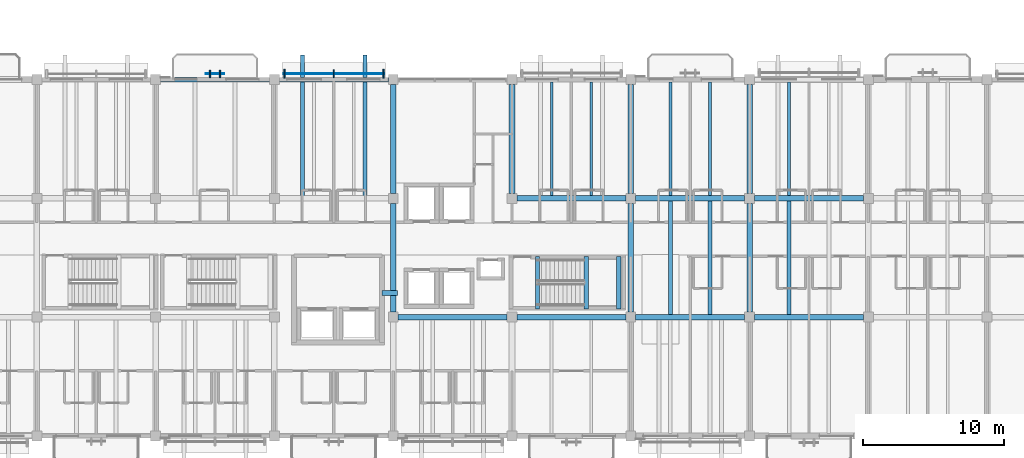
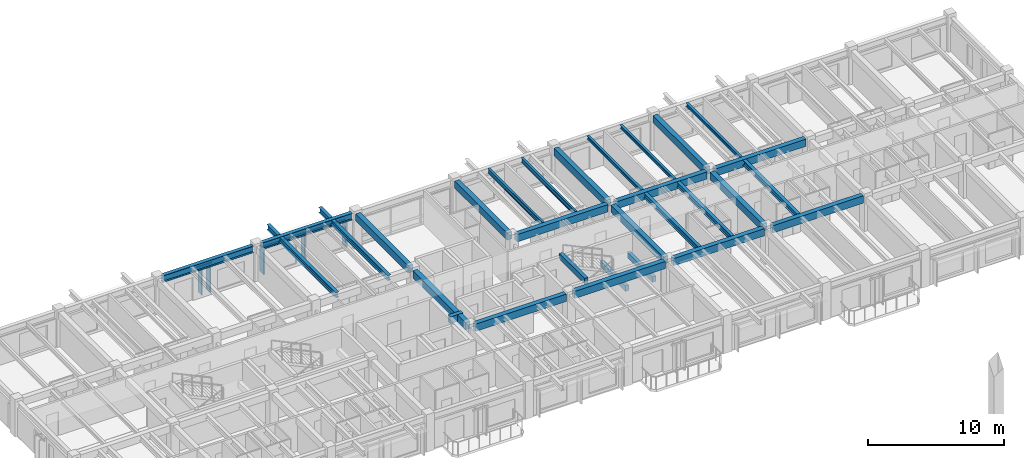
# One storey, part 13 of 64: 30 beams, 7 members, 2 elements without a shape of their own.
"""IFC4 building model written with IfcOpenShell, lengths in metres."""

from ifc_helpers import new_model, si_unit, direction, frame, origin, origin_2d, place, context, subcontext, project, spatial, rectangle, i_section, extrude, material, material_profile, profile_set, type_object, element, aggregate, save


model = new_model("IFC4")

# Units and contexts
model_context = context("Model", 3, precision=1e-05, world=origin(), true_north=direction((0.0, 1.0)))
body_context = subcontext(model_context, "Body", "Model", "MODEL_VIEW")
ifc_project = project(units=[si_unit("LENGTHUNIT", "METRE"), si_unit("AREAUNIT", "SQUARE_METRE"), si_unit("VOLUMEUNIT", "CUBIC_METRE"), si_unit("PLANEANGLEUNIT", "RADIAN"), si_unit("MASSUNIT", "GRAM", prefix="KILO")], contexts=[model_context])

# Site, building, storey
site_placement = place(None, origin())
site = spatial("IfcSite", under=ifc_project, at=site_placement, CompositionType="ELEMENT")
building_placement = place(site_placement, origin())
building = spatial("IfcBuilding", under=site, at=building_placement, Name="Cumbredor Promenade Congress Hotel", CompositionType="ELEMENT")
storey_placement = place(building_placement, frame((0.0, 0.0, 18.47998046875)))
storey = spatial("IfcBuildingStorey", under=building, at=storey_placement, Name="L05", CompositionType="ELEMENT", Elevation=18.47998046875)

# Beams
ifc_material_1 = material(Name="Concrete C40/50", Category="concrete")
ifc_material_profile_1 = material_profile(ifc_material_1, rectangle(XDim=0.39990234375, YDim=0.64990234375, at=origin_2d()), Name="RC BEAM 400x650")
ifc_profile_set_1 = profile_set([ifc_material_profile_1], Name="Concrete C40/50")
beam_type_1 = type_object("IfcBeamType", Name="BM-RC-400x650", PredefinedType="BEAM", material=ifc_profile_set_1)
beam_1_placement = place(storey_placement, frame((33.949951171875, 100.800048828125, 2.794921875), z_axis=(1.0, 0.0, 0.0), x_axis=(0.0, 1.0, 0.0)))
element("IfcBeam", 1, at=beam_1_placement, inside=storey, type_object=beam_type_1, Name="L06 X-Grid Beam 064", PredefinedType="BEAM", context=body_context, shape_type="SweptSolid", body=[
    extrude(rectangle(XDim=0.39990234375, YDim=0.64990234375, at=origin_2d()), origin(), (0.0, 0.0, 1.0), 7.699951171875),
])
beam_2_placement = place(storey_placement, frame((33.60009765625, 101.14990234375, 2.794921875), z_axis=(0.0, 1.0, 0.0), x_axis=(-1.0, 0.0, 0.0)))
element("IfcBeam", 2, at=beam_2_placement, inside=storey, type_object=beam_type_1, Name="L06 Y-Grid Beam 065", PredefinedType="BEAM", context=body_context, shape_type="SweptSolid", body=[
    extrude(rectangle(XDim=0.39990234375, YDim=0.64990234375, at=origin_2d()), origin(), (0.0, 0.0, 1.0), 7.7001953125),
])
for number, where, z_axis, x_axis, name in (
    (3, (33.60009765625, 109.550048828125, 2.794921875), (0.0, 1.0, 0.0), (-1.0, 0.0, 0.0), "L06 Y-Grid Beam 066"),
    (4, (42.35009765625, 100.800048828125, 2.794921875), (1.0, 0.0, 0.0), (0.0, 1.0, 0.0), "L06 X-Grid Beam 075"),
    (5, (42.35009765625, 109.199951171875, 2.794921875), (1.0, 0.0, 0.0), (0.0, 1.0, 0.0), "L06 X-Grid Beam 076"),
    (6, (42.0, 109.550048828125, 2.794921875), (0.0, 1.0, 0.0), (-1.0, 0.0, 0.0), "L06 Y-Grid Beam 077"),
    (7, (50.75, 100.800048828125, 2.794921875), (1.0, 0.0, 0.0), (0.0, 1.0, 0.0), "L06 X-Grid Beam 086"),
):
    element("IfcBeam", number, at=place(storey_placement, frame(where, z_axis=z_axis, x_axis=x_axis)), inside=storey, type_object=beam_type_1, Name=name, PredefinedType="BEAM", context=body_context, shape_type="SweptSolid", body=[
        extrude(rectangle(XDim=0.39990234375, YDim=0.64990234375, at=origin_2d()), origin(), (0.0, 0.0, 1.0), 7.699951171875),
    ])
beam_3_placement = place(storey_placement, frame((50.39990234375, 101.14990234375, 2.794921875), z_axis=(0.0, 1.0, 0.0), x_axis=(-1.0, 0.0, 0.0)))
element("IfcBeam", 8, at=beam_3_placement, inside=storey, type_object=beam_type_1, Name="L06 Y-Grid Beam 087", PredefinedType="BEAM", context=body_context, shape_type="SweptSolid", body=[
    extrude(rectangle(XDim=0.39990234375, YDim=0.64990234375, at=origin_2d()), origin(), (0.0, 0.0, 1.0), 7.7001953125),
])
for number, where, z_axis, x_axis, name in (
    (9, (50.75, 109.199951171875, 2.794921875), (1.0, 0.0, 0.0), (0.0, 1.0, 0.0), "L06 X-Grid Beam 088"),
    (10, (50.39990234375, 109.550048828125, 2.794921875), (0.0, 1.0, 0.0), (-1.0, 0.0, 0.0), "L06 Y-Grid Beam 089"),
):
    element("IfcBeam", number, at=place(storey_placement, frame(where, z_axis=z_axis, x_axis=x_axis)), inside=storey, type_object=beam_type_1, Name=name, PredefinedType="BEAM", context=body_context, shape_type="SweptSolid", body=[
        extrude(rectangle(XDim=0.39990234375, YDim=0.64990234375, at=origin_2d()), origin(), (0.0, 0.0, 1.0), 7.699951171875),
    ])
for number, where, z_axis, x_axis, name in (
    (11, (59.14990234375, 100.800048828125, 2.794921875), (1.0, 0.0, 0.0), (0.0, 1.0, 0.0), "L06 X-Grid Beam 108"),
    (12, (58.800048828125, 101.14990234375, 2.794921875), (0.0, 1.0, 0.0), (-1.0, 0.0, 0.0), "L06 Y-Grid Beam 109"),
    (13, (59.14990234375, 109.199951171875, 2.794921875), (1.0, 0.0, 0.0), (0.0, 1.0, 0.0), "L06 X-Grid Beam 110"),
):
    element("IfcBeam", number, at=place(storey_placement, frame(where, z_axis=z_axis, x_axis=x_axis)), inside=storey, type_object=beam_type_1, Name=name, PredefinedType="BEAM", context=body_context, shape_type="SweptSolid", body=[
        extrude(rectangle(XDim=0.39990234375, YDim=0.64990234375, at=origin_2d()), origin(), (0.0, 0.0, 1.0), 7.7001953125),
    ])
beam_4_placement = place(storey_placement, frame((58.800048828125, 109.550048828125, 2.794921875), z_axis=(0.0, 1.0, 0.0), x_axis=(-1.0, 0.0, 0.0)))
element("IfcBeam", 14, at=beam_4_placement, inside=storey, type_object=beam_type_1, Name="L06 Y-Grid Beam 111", PredefinedType="BEAM", context=body_context, shape_type="SweptSolid", body=[
    extrude(rectangle(XDim=0.39990234375, YDim=0.64990234375, at=origin_2d()), origin(), (0.0, 0.0, 1.0), 7.699951171875),
])
ifc_material_2 = material(Name="Steel ASTM A992 Grade 50", Category="steel")
ifc_material_profile_2 = material_profile(ifc_material_2, i_section(OverallWidth=0.323974609375, OverallDepth=0.611083984375, WebThickness=0.0126953125, FlangeThickness=0.01904296875, at=origin_2d()), Name="W24X104")
ifc_profile_set_2 = profile_set([ifc_material_profile_2], Name="Steel ASTM A992 Grade 50")
beam_type_2 = type_object("IfcBeamType", Name="BM-W24X104", PredefinedType="BEAM", material=ifc_profile_set_2)
beam_5_placement = place(storey_placement, frame((17.14990234375, 117.60009765625, 2.814453125), z_axis=(1.0, 0.0, 0.0), x_axis=(0.0, 1.0, 0.0)))
element("IfcBeam", 15, at=beam_5_placement, inside=storey, type_object=beam_type_2, Name="L06 X-Grid Beam 046", PredefinedType="BEAM", context=body_context, shape_type="SweptSolid", body=[
    extrude(i_section(OverallWidth=0.323974609375, OverallDepth=0.611083984375, WebThickness=0.0126953125, FlangeThickness=0.01904296875, at=origin_2d()), origin(), (0.0, 0.0, 1.0), 7.7001953125),
])
beam_6_placement = place(storey_placement, frame((25.550048828125, 117.60009765625, 2.814453125), z_axis=(1.0, 0.0, 0.0), x_axis=(0.0, 1.0, 0.0)))
element("IfcBeam", 16, at=beam_6_placement, inside=storey, type_object=beam_type_2, Name="L06 X-Grid Beam 056", PredefinedType="BEAM", context=body_context, shape_type="SweptSolid", body=[
    extrude(i_section(OverallWidth=0.323974609375, OverallDepth=0.611083984375, WebThickness=0.0126953125, FlangeThickness=0.01904296875, at=origin_2d()), origin(), (0.0, 0.0, 1.0), 7.699951171875),
])

# Curtain wall, member
ifc_material_3 = material(Name="Thermally broken anodized aluminium and low-E glass", Category="aluminium")
curtain_wall_type = type_object("IfcCurtainWallType", Name="Solar Brise-Soleil Screen Assembly CW-07", PredefinedType="NOTDEFINED", material=ifc_material_3)
curtain_wall_1_placement = place(storey_placement, origin())
curtain_wall_1 = element("IfcCurtainWall", 17, at=curtain_wall_1_placement, inside=storey, type_object=curtain_wall_type, Name="L05 Veranda Solar Brise-Soleil Screen 883", PredefinedType="NOTDEFINED")
ifc_material_4 = material(Name="Thermally broken anodized aluminium", Category="aluminium")
ifc_material_profile_3 = material_profile(ifc_material_4, rectangle(XDim=0.06494140625, YDim=0.1298828125, at=origin_2d()), Name="ALU TRANSOM 65x130")
ifc_profile_set_3 = profile_set([ifc_material_profile_3], Name="Thermally broken anodized aluminium")
member_type_1 = type_object("IfcMemberType", Name="Curtain Wall Transom TR-01", PredefinedType="USERDEFINED", material=ifc_profile_set_3)
member_1_placement = place(storey_placement, frame((20.35009765625, 118.0, 2.4140625), z_axis=(1.0, 0.0, 0.0), x_axis=(0.0, 1.0, 0.0)))
member_1 = element("IfcMember", 18, at=member_1_placement, type_object=member_type_1, Name="L05 Brise-Soleil Header Tie 0885", ObjectType="TRANSOM", PredefinedType="USERDEFINED", context=body_context, shape_type="SweptSolid", body=[
    extrude(rectangle(XDim=0.06494140625, YDim=0.1298828125, at=origin_2d()), origin(), (0.0, 0.0, 1.0), 1.2998046875),
])

curtain_wall_2_placement = place(storey_placement, origin())
curtain_wall_2 = element("IfcCurtainWall", 19, at=curtain_wall_2_placement, inside=storey, type_object=curtain_wall_type, Name="L05 Hospitality Brise-Soleil Screen 084", PredefinedType="NOTDEFINED")
member_2_placement = place(storey_placement, frame((25.85107421875, 118.010009765625, 2.31396484375), z_axis=(1.0, 0.0, 0.0), x_axis=(0.0, 1.0, 0.0)))
member_2 = element("IfcMember", 20, at=member_2_placement, type_object=member_type_1, Name="L05 Brise-Soleil Screen Transom 084", ObjectType="TRANSOM", PredefinedType="USERDEFINED", context=body_context, shape_type="SweptSolid", body=[
    extrude(rectangle(XDim=0.06494140625, YDim=0.1298828125, at=origin_2d()), origin(), (0.0, 0.0, 1.0), 7.097900390625),
])

# Beams
ifc_material_profile_4 = material_profile(ifc_material_2, i_section(OverallWidth=0.202880859375, OverallDepth=0.302978515625, WebThickness=0.007568359375, FlangeThickness=0.01318359375, at=origin_2d()), Name="W12X40")
ifc_profile_set_4 = profile_set([ifc_material_profile_4], Name="Steel ASTM A992 Grade 50")
beam_type_3 = type_object("IfcBeamType", Name="JST-W12X40", PredefinedType="JOIST", material=ifc_profile_set_4)
for number, where, z_axis, x_axis, name in (
    (21, (53.199951171875, 109.39990234375, 2.968505859375), (0.0, 1.0, 0.0), (-1.0, 0.0, 0.0), "L06 Secondary Floor Joist 0053"),
    (22, (56.0, 109.39990234375, 2.968505859375), (0.0, 1.0, 0.0), (-1.0, 0.0, 0.0), "L06 Secondary Floor Joist 0054"),
    (23, (61.60009765625, 109.39990234375, 2.968505859375), (0.0, 1.0, 0.0), (-1.0, 0.0, 0.0), "L06 Secondary Floor Joist 0073"),
):
    element("IfcBeam", number, at=place(storey_placement, frame(where, z_axis=z_axis, x_axis=x_axis)), inside=storey, type_object=beam_type_3, Name=name, PredefinedType="JOIST", context=body_context, shape_type="SweptSolid", body=[
        extrude(i_section(OverallWidth=0.202880859375, OverallDepth=0.302978515625, WebThickness=0.007568359375, FlangeThickness=0.01318359375, at=origin_2d()), origin(), (0.0, 0.0, 1.0), 8.0380859375),
    ])
ifc_material_profile_5 = material_profile(ifc_material_2, i_section(OverallWidth=0.180908203125, OverallDepth=0.4169921875, WebThickness=0.010986328125, FlangeThickness=0.018310546875, at=origin_2d()), Name="W16X57")
ifc_profile_set_5 = profile_set([ifc_material_profile_5], Name="Steel ASTM A992 Grade 50")
beam_type_4 = type_object("IfcBeamType", Name="JST-W16X57", PredefinedType="JOIST", material=ifc_profile_set_5)
for number, where, z_axis, x_axis, name in (
    (24, (44.800048828125, 109.39990234375, 2.91162109375), (0.0, 1.0, 0.0), (-1.0, 0.0, 0.0), "L06 Secondary Floor Joist 0045"),
    (25, (47.60009765625, 109.39990234375, 2.91162109375), (0.0, 1.0, 0.0), (-1.0, 0.0, 0.0), "L06 Secondary Floor Joist 0046"),
):
    element("IfcBeam", number, at=place(storey_placement, frame(where, z_axis=z_axis, x_axis=x_axis)), inside=storey, type_object=beam_type_4, Name=name, PredefinedType="JOIST", context=body_context, shape_type="SweptSolid", body=[
        extrude(i_section(OverallWidth=0.180908203125, OverallDepth=0.4169921875, WebThickness=0.010986328125, FlangeThickness=0.018310546875, at=origin_2d()), origin(), (0.0, 0.0, 1.0), 8.0380859375),
    ])
ifc_material_profile_6 = material_profile(ifc_material_2, i_section(OverallWidth=0.280029296875, OverallDepth=0.462890625, WebThickness=0.0107421875, FlangeThickness=0.017333984375, at=origin_2d()), Name="W18X76")
ifc_profile_set_6 = profile_set([ifc_material_profile_6], Name="Steel ASTM A992 Grade 50")
beam_type_5 = type_object("IfcBeamType", Name="JST-W18X76", PredefinedType="JOIST", material=ifc_profile_set_6)
for number, where, z_axis, x_axis, name in (
    (26, (27.199951171875, 109.199951171875, 2.888427734375), (0.0, 1.0, 0.0), (-1.0, 0.0, 0.0), "L06 Balcony Back-Spanned Outrigger Beam 035.1"),
    (27, (31.60009765625, 109.199951171875, 2.888427734375), (0.0, 1.0, 0.0), (-1.0, 0.0, 0.0), "L06 Balcony Back-Spanned Outrigger Beam 035.2"),
):
    element("IfcBeam", number, at=place(storey_placement, frame(where, z_axis=z_axis, x_axis=x_axis)), inside=storey, type_object=beam_type_5, Name=name, PredefinedType="JOIST", context=body_context, shape_type="SweptSolid", body=[
        extrude(i_section(OverallWidth=0.280029296875, OverallDepth=0.462890625, WebThickness=0.0107421875, FlangeThickness=0.017333984375, at=origin_2d()), origin(), (0.0, 0.0, 1.0), 10.150146484375),
    ])
for number, where, z_axis, x_axis, name in (
    (28, (53.199951171875, 101.0, 2.888427734375), (0.0, 1.0, 0.0), (-1.0, 0.0, 0.0), "L06 Secondary Floor Joist 0051"),
    (29, (56.0, 101.0, 2.888427734375), (0.0, 1.0, 0.0), (-1.0, 0.0, 0.0), "L06 Secondary Floor Joist 0052"),
    (30, (61.60009765625, 101.0, 2.888427734375), (0.0, 1.0, 0.0), (-1.0, 0.0, 0.0), "L06 Secondary Floor Joist 0071"),
):
    element("IfcBeam", number, at=place(storey_placement, frame(where, z_axis=z_axis, x_axis=x_axis)), inside=storey, type_object=beam_type_5, Name=name, PredefinedType="JOIST", context=body_context, shape_type="SweptSolid", body=[
        extrude(i_section(OverallWidth=0.280029296875, OverallDepth=0.462890625, WebThickness=0.0107421875, FlangeThickness=0.017333984375, at=origin_2d()), origin(), (0.0, 0.0, 1.0), 8.0),
    ])
ifc_material_profile_7 = material_profile(ifc_material_1, rectangle(XDim=0.300048828125, YDim=0.5, at=origin_2d()), Name="RC LINTEL 300x500")
ifc_profile_set_7 = profile_set([ifc_material_profile_7], Name="Concrete C40/50")
beam_type_6 = type_object("IfcBeamType", Name="LN-RC-300x500", PredefinedType="LINTEL", material=ifc_profile_set_7)
for number, where, z_axis, x_axis, name in (
    (31, (49.550048828125, 101.3701171875, 1.22998046875), (0.0, 1.0, 0.0), (-1.0, 0.0, 0.0), "L05 Stair ST-03 Landing Ledger Beam E"),
    (32, (47.25, 101.3701171875, 1.22998046875), (0.0, 1.0, 0.0), (-1.0, 0.0, 0.0), "L05 Stair ST-03 Landing Ledger Beam W"),
    (33, (43.800048828125, 101.3701171875, 3.110107421875), (0.0, 1.0, 0.0), (-1.0, 0.0, 0.0), "L06 Stair ST-03 Well Header Trimmer Beam"),
):
    element("IfcBeam", number, at=place(storey_placement, frame(where, z_axis=z_axis, x_axis=x_axis)), inside=storey, type_object=beam_type_6, Name=name, PredefinedType="LINTEL", context=body_context, shape_type="SweptSolid", body=[
        extrude(rectangle(XDim=0.300048828125, YDim=0.5, at=origin_2d()), origin(), (0.0, 0.0, 1.0), 3.72998046875),
    ])
ifc_material_profile_8 = material_profile(ifc_material_1, rectangle(XDim=0.35009765625, YDim=0.60009765625, at=origin_2d()), Name="RC LINTEL 350x600")
ifc_profile_set_8 = profile_set([ifc_material_profile_8], Name="Concrete C40/50")
beam_type_7 = type_object("IfcBeamType", Name="LN-RC-350x600", PredefinedType="LINTEL", material=ifc_profile_set_8)
beam_7_placement = place(storey_placement, frame((32.800048828125, 102.5, 2.820068359375), z_axis=(1.0, 0.0, 0.0), x_axis=(0.0, 1.0, 0.0)))
element("IfcBeam", 34, at=beam_7_placement, inside=storey, type_object=beam_type_7, Name="L05 Core Coupling Lintel Beam", PredefinedType="LINTEL", context=body_context, shape_type="SweptSolid", body=[
    extrude(rectangle(XDim=0.35009765625, YDim=0.60009765625, at=origin_2d()), origin(), (0.0, 0.0, 1.0), 1.099853515625),
])

# Member
ifc_material_profile_9 = material_profile(ifc_material_4, rectangle(XDim=0.110107421875, YDim=0.6201171875, at=origin_2d()), Name="ARCH FIN 110x620")
ifc_profile_set_9 = profile_set([ifc_material_profile_9], Name="Thermally broken anodized aluminium")
member_type_2 = type_object("IfcMemberType", Name="Vertical Bronze Brise-Soleil Fin BSF-02 110x620", PredefinedType="USERDEFINED", material=ifc_profile_set_9)
member_3_placement = place(storey_placement, frame((25.90087890625, 118.010009765625, 0.02001953125), z_axis=(0.0, 0.0, 1.0), x_axis=(1.0, 0.0, 0.0)))
member_3 = element("IfcMember", 35, at=member_3_placement, type_object=member_type_2, Name="L05 Vertical Brise-Soleil Fin 0886", ObjectType="SOLAR FIN", PredefinedType="USERDEFINED", context=body_context, shape_type="SweptSolid", body=[
    extrude(rectangle(XDim=0.110107421875, YDim=0.6201171875, at=origin_2d()), origin(), (0.0, 0.0, 1.0), 2.35400390625),
])

member_4_placement = place(storey_placement, frame((32.89892578125, 118.010009765625, 0.02001953125), z_axis=(0.0, 0.0, 1.0), x_axis=(1.0, 0.0, 0.0)))
member_4 = element("IfcMember", 36, at=member_4_placement, type_object=member_type_2, Name="L05 Vertical Brise-Soleil Fin 0888", ObjectType="SOLAR FIN", PredefinedType="USERDEFINED", context=body_context, shape_type="SweptSolid", body=[
    extrude(rectangle(XDim=0.110107421875, YDim=0.6201171875, at=origin_2d()), origin(), (0.0, 0.0, 1.0), 2.35400390625),
])

ifc_material_5 = material(Name="Kiln-dried tropical hardwood", Category="wood")
ifc_material_profile_10 = material_profile(ifc_material_5, rectangle(XDim=0.090087890625, YDim=0.550048828125, at=origin_2d()), Name="ARCH FIN 90x550")
ifc_profile_set_10 = profile_set([ifc_material_profile_10], Name="Kiln-dried tropical hardwood")
member_type_3 = type_object("IfcMemberType", Name="Vertical Hardwood Brise-Soleil Fin BSF-01 90x550", PredefinedType="USERDEFINED", material=ifc_profile_set_10)
member_5_placement = place(storey_placement, frame((20.64990234375, 118.0, -0.010009765625), z_axis=(0.0, 0.0, 1.0), x_axis=(1.0, 0.0, 0.0)))
member_5 = element("IfcMember", 37, at=member_5_placement, type_object=member_type_3, Name="L05 Vertical Hardwood Brise-Soleil Fin 0884", ObjectType="SOLAR FIN", PredefinedType="USERDEFINED", context=body_context, shape_type="SweptSolid", body=[
    extrude(rectangle(XDim=0.090087890625, YDim=0.550048828125, at=origin_2d()), origin(), (0.0, 0.0, 1.0), 2.484130859375),
])

member_6_placement = place(storey_placement, frame((21.35009765625, 118.0, -0.010009765625), z_axis=(0.0, 0.0, 1.0), x_axis=(1.0, 0.0, 0.0)))
member_6 = element("IfcMember", 38, at=member_6_placement, type_object=member_type_3, Name="L05 Vertical Hardwood Brise-Soleil Fin 0885", ObjectType="SOLAR FIN", PredefinedType="USERDEFINED", context=body_context, shape_type="SweptSolid", body=[
    extrude(rectangle(XDim=0.090087890625, YDim=0.550048828125, at=origin_2d()), origin(), (0.0, 0.0, 1.0), 2.484130859375),
])

aggregate(curtain_wall_1, [member_5, member_6, member_1])

member_7_placement = place(storey_placement, frame((29.39990234375, 118.010009765625, 0.02001953125), z_axis=(0.0, 0.0, 1.0), x_axis=(1.0, 0.0, 0.0)))
member_7 = element("IfcMember", 39, at=member_7_placement, type_object=member_type_3, Name="L05 Vertical Brise-Soleil Fin 0887", ObjectType="SOLAR FIN", PredefinedType="USERDEFINED", context=body_context, shape_type="SweptSolid", body=[
    extrude(rectangle(XDim=0.090087890625, YDim=0.550048828125, at=origin_2d()), origin(), (0.0, 0.0, 1.0), 2.35400390625),
])

aggregate(curtain_wall_2, [member_2, member_3, member_7, member_4])

save(model, "model.ifc")
